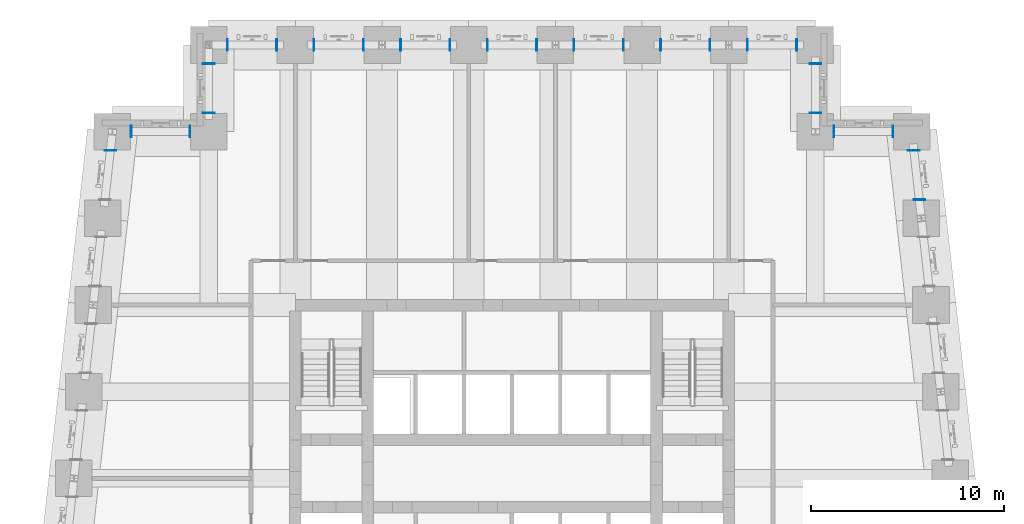
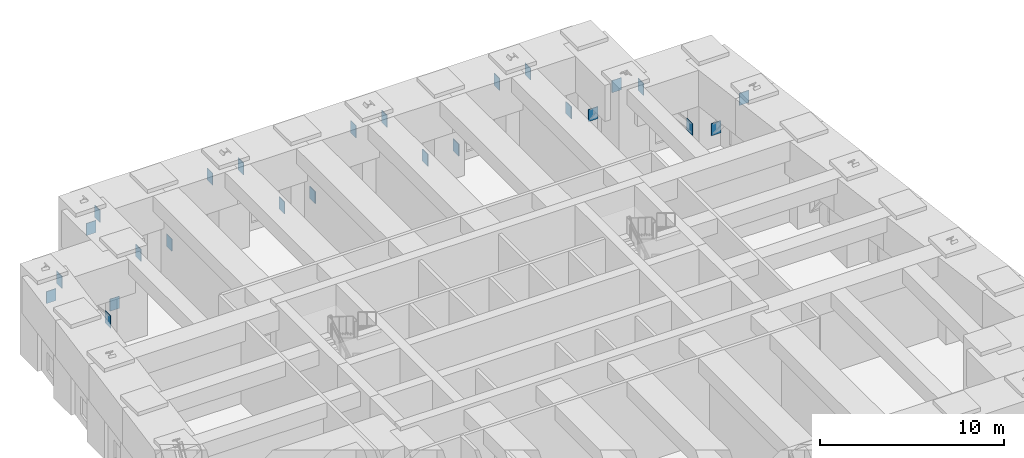
# One storey, part 8 of 17: 25 discrete accessories.
"""IFC4 building model written with IfcOpenShell, lengths in metres."""

from ifc_helpers import new_model, si_unit, direction, frame, origin, place, context, subcontext, project, spatial, polyline, outline, extrude, source, transform, mapped, material, layer, layer_set, type_object, element, save


model = new_model("IFC4")

# Units and contexts
model_context = context("Model", 3, precision=1e-05, world=origin(), true_north=direction((0.0, 1.0)))
body_context = subcontext(model_context, "Body", "Model", "MODEL_VIEW")
ifc_project = project(units=[si_unit("LENGTHUNIT", "METRE"), si_unit("AREAUNIT", "SQUARE_METRE"), si_unit("VOLUMEUNIT", "CUBIC_METRE"), si_unit("PLANEANGLEUNIT", "RADIAN"), si_unit("MASSUNIT", "GRAM", prefix="KILO")], contexts=[model_context])

# Site, building, storey
site_placement = place(None, origin())
site = spatial("IfcSite", under=ifc_project, at=site_placement, CompositionType="ELEMENT")
building_placement = place(site_placement, origin())
building = spatial("IfcBuilding", under=site, at=building_placement, Name="Kilele Tower Hotel", CompositionType="ELEMENT")
storey_placement = place(building_placement, frame((0.0, 0.0, 151.89990234375)))
storey = spatial("IfcBuildingStorey", under=building, at=storey_placement, Name="L39", CompositionType="ELEMENT", Elevation=151.89990234375)

# Discrete accessories
ifc_material = material(Name="Steel S355", Category="steel")
ifc_layer = layer(ifc_material, 0.0400390625)
ifc_layer_set = layer_set([ifc_layer], Name="Steel S355")
discrete_accessory_type = type_object("IfcDiscreteAccessoryType", Name="Cast-in anchor plate 800x600x40", PredefinedType="ANCHORPLATE", material=ifc_layer_set)
shared_shape = source(origin(), body_context, "Body", "SweptSolid", [
    extrude(outline(polyline([(0.0, 0.0), (0.0400390625, 0.0), (0.0400390625, 0.800048828125), (0.0, 0.800048828125), (0.0, 0.0)])), origin(), (0.0, 0.0, 1.0), 0.60009765625),
])
for number, where, z_axis, x_axis, name in (
    (1, (45.594482421875, 32.449951171875, 4.33349609375), (1.0, 0.0, 0.0), (0.0, 1.0, 0.0), "Cast-in anchor plate L39"),
    (2, (45.905517578125, 35.050048828125, 0.86669921875), (-1.0, 0.0, 0.0), (0.0, -1.0, 0.0), "Cast-in anchor plate L39"),
    (3, (44.550048828125, 35.699951171875, 0.739990234375), (0.0, 1.0, 0.0), (-1.0, 0.0, 0.0), "Cast-in anchor plate L39"),
    (4, (41.449951171875, 36.300048828125, 4.460205078125), (0.0, -1.0, 0.0), (1.0, 0.0, 0.0), "Cast-in anchor plate L39"),
    (5, (40.199951171875, 36.949951171875, 4.33349609375), (1.0, 0.0, 0.0), (0.0, 1.0, 0.0), "Cast-in anchor plate L39"),
    (6, (40.800048828125, 39.550048828125, 0.86669921875), (-1.0, 0.0, 0.0), (0.0, -1.0, 0.0), "Cast-in anchor plate L39"),
    (7, (39.550048828125, 40.199951171875, 0.86669921875), (0.0, 1.0, 0.0), (-1.0, 0.0, 0.0), "Cast-in anchor plate L39"),
    (8, (36.949951171875, 40.800048828125, 4.33349609375), (0.0, -1.0, 0.0), (1.0, 0.0, 0.0), "Cast-in anchor plate L39"),
    (9, (35.050048828125, 40.199951171875, 4.33349609375), (0.0, 1.0, 0.0), (-1.0, 0.0, 0.0), "Cast-in anchor plate L39"),
    (10, (32.449951171875, 40.800048828125, 0.86669921875), (0.0, -1.0, 0.0), (1.0, 0.0, 0.0), "Cast-in anchor plate L39"),
    (11, (30.550048828125, 40.199951171875, 0.86669921875), (0.0, 1.0, 0.0), (-1.0, 0.0, 0.0), "Cast-in anchor plate L39"),
    (12, (27.949951171875, 40.800048828125, 4.33349609375), (0.0, -1.0, 0.0), (1.0, 0.0, 0.0), "Cast-in anchor plate L39"),
    (13, (26.050048828125, 40.199951171875, 4.33349609375), (0.0, 1.0, 0.0), (-1.0, 0.0, 0.0), "Cast-in anchor plate L39"),
    (14, (23.449951171875, 40.800048828125, 0.86669921875), (0.0, -1.0, 0.0), (1.0, 0.0, 0.0), "Cast-in anchor plate L39"),
    (15, (21.550048828125, 40.199951171875, 0.86669921875), (0.0, 1.0, 0.0), (-1.0, 0.0, 0.0), "Cast-in anchor plate L39"),
    (16, (18.949951171875, 40.800048828125, 4.33349609375), (0.0, -1.0, 0.0), (1.0, 0.0, 0.0), "Cast-in anchor plate L39"),
    (17, (17.050048828125, 40.199951171875, 4.33349609375), (0.0, 1.0, 0.0), (-1.0, 0.0, 0.0), "Cast-in anchor plate L39"),
    (18, (14.449951171875, 40.800048828125, 0.86669921875), (0.0, -1.0, 0.0), (1.0, 0.0, 0.0), "Cast-in anchor plate L39"),
    (19, (12.550048828125, 40.199951171875, 0.86669921875), (0.0, 1.0, 0.0), (-1.0, 0.0, 0.0), "Cast-in anchor plate L39"),
    (20, (9.949951171875, 40.800048828125, 4.33349609375), (0.0, -1.0, 0.0), (1.0, 0.0, 0.0), "Cast-in anchor plate L39"),
    (21, (9.300048828125, 39.550048828125, 4.33349609375), (-1.0, 0.0, 0.0), (0.0, -1.0, 0.0), "Cast-in anchor plate L39"),
    (22, (8.699951171875, 36.949951171875, 0.86669921875), (1.0, 0.0, 0.0), (0.0, 1.0, 0.0), "Cast-in anchor plate L39"),
    (23, (8.050048828125, 35.699951171875, 0.739990234375), (0.0, 1.0, 0.0), (-1.0, 0.0, 0.0), "Cast-in anchor plate L39"),
    (24, (4.949951171875, 36.300048828125, 4.460205078125), (0.0, -1.0, 0.0), (1.0, 0.0, 0.0), "Cast-in anchor plate L39"),
    (25, (4.1943359375, 35.050048828125, 4.33349609375), (-1.0, 0.0, 0.0), (0.0, -1.0, 0.0), "Cast-in anchor plate L39"),
):
    element("IfcDiscreteAccessory", number, at=place(storey_placement, frame(where, z_axis=z_axis, x_axis=x_axis)), inside=storey, type_object=discrete_accessory_type, Name=name, PredefinedType="ANCHORPLATE", context=body_context, shape_type="MappedRepresentation", body=[
        mapped(shared_shape, transform((0.0, 0.0, 0.0))),
    ])

save(model, "model.ifc")
